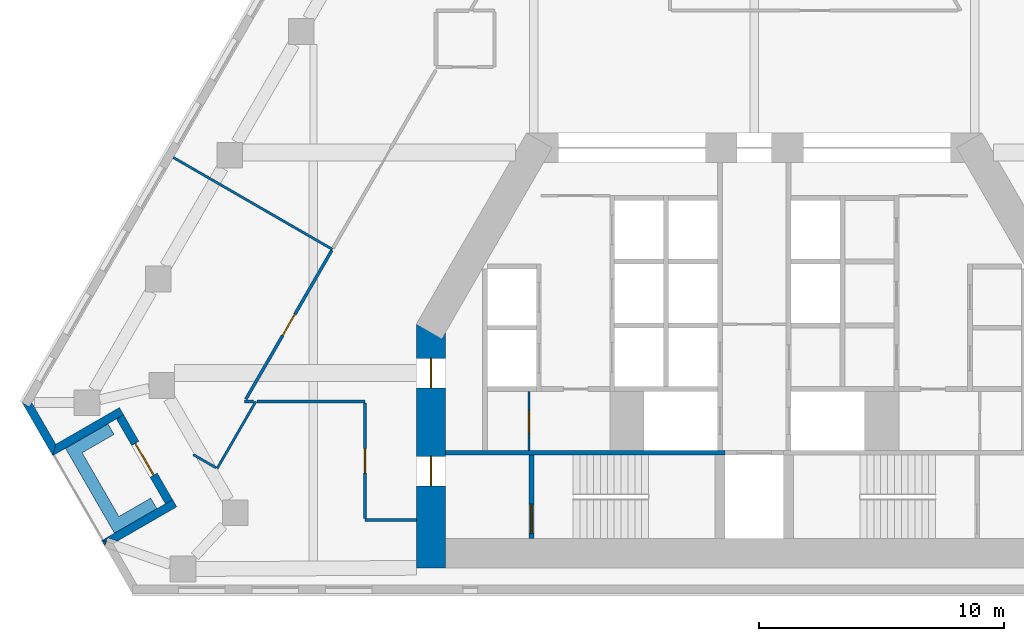
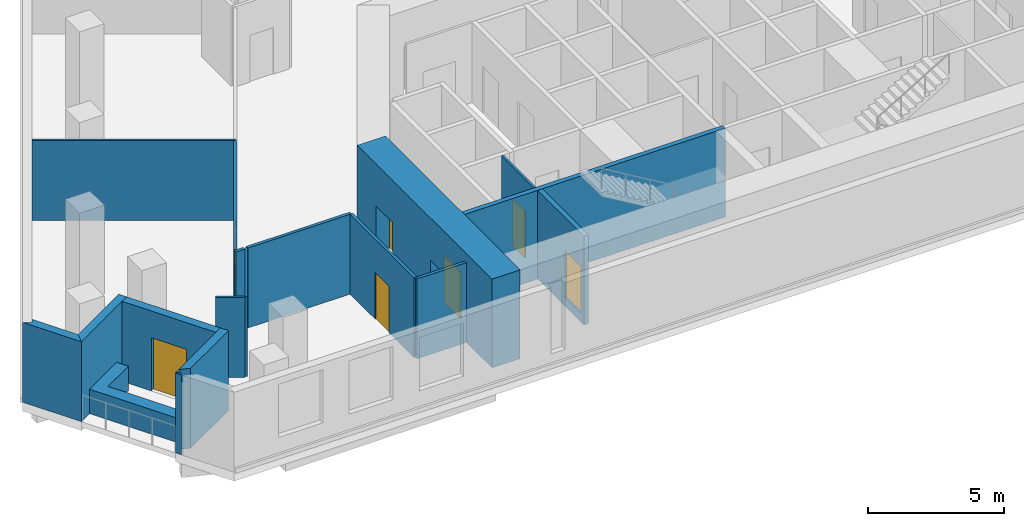
# One storey, part 3 of 10: 18 walls, 7 doors, 7 openings.
"""IFC4 building model written with IfcOpenShell, lengths in metres."""

from ifc_helpers import new_model, si_unit, direction, frame, frame_2d, origin, place, context, subcontext, project, spatial, polyline, rectangle, outline, extrude, material, layer, layer_set, type_object, element, fill, save


model = new_model("IFC4")

# Units and contexts
model_context = context("Model", 3, precision=1e-05, world=origin(), true_north=direction((0.0, 1.0)))
body_context = subcontext(model_context, "Body", "Model", "MODEL_VIEW")
ifc_project = project(units=[si_unit("LENGTHUNIT", "METRE"), si_unit("AREAUNIT", "SQUARE_METRE"), si_unit("VOLUMEUNIT", "CUBIC_METRE"), si_unit("PLANEANGLEUNIT", "RADIAN"), si_unit("MASSUNIT", "GRAM", prefix="KILO")], contexts=[model_context])

# Site, building, storey
site_placement = place(None, origin())
site = spatial("IfcSite", under=ifc_project, at=site_placement, CompositionType="ELEMENT")
building_placement = place(site_placement, origin())
building = spatial("IfcBuilding", under=site, at=building_placement, Name="Fogline Exchange Tower", CompositionType="ELEMENT")
storey_placement = place(building_placement, frame((0.0, 0.0, 128.10009765625)))
storey = spatial("IfcBuildingStorey", under=building, at=storey_placement, Name="L28", CompositionType="ELEMENT", Elevation=128.10009765625)

# Wall, opening, door
ifc_material_1 = material(Name="Blockwork partition", Category="masonry")
ifc_layer_1 = layer(ifc_material_1, 0.10009765625)
ifc_layer_set_1 = layer_set([ifc_layer_1], Name="CW10")
wall_type_1 = type_object("IfcWallType", Name="CW10", PredefinedType="PARTITIONING", material=ifc_layer_set_1)
wall_1_placement = place(storey_placement, frame((-9.199951171875, 5.85009765625, 0.0), z_axis=(0.0, 0.0, 1.0), x_axis=(0.0, 1.0, 0.0)))
wall_1 = element("IfcWall", 1, at=wall_1_placement, inside=storey, type_object=wall_type_1, Name="WC partition", PredefinedType="PARTITIONING", context=body_context, shape_type="SweptSolid", body=[
    extrude(rectangle(XDim=2.39990234375, YDim=0.10009765625, at=frame_2d((1.199951171875, 0.0))), origin(), (0.0, 0.0, 1.0), 3.599853515625),
])
opening_1_placement = place(wall_1_placement, frame((0.699951171875, 0.0, 0.0)))
opening_1 = element("IfcOpeningElement", 2, at=opening_1_placement, cuts=wall_1, Name="Opening T08-C009", PredefinedType="OPENING", context=body_context, shape_type="SweptSolid", body=[
    extrude(rectangle(XDim=0.89990234375, YDim=2.10009765625, at=frame_2d((0.449951171875, 1.050048828125))), frame((0.0, 0.06005859375, 0.0), z_axis=(0.0, -1.0, 0.0), x_axis=(1.0, 0.0, 0.0)), (0.0, 0.0, 1.0), 0.1201171875),
])
ifc_material_2 = material(Name="Steel and timber fire door", Category="steel")
door_type_1 = type_object("IfcDoorType", Name="D-CS1", OperationType="SINGLE_SWING_RIGHT", PredefinedType="DOOR", material=ifc_material_2)
door_1_placement = place(opening_1_placement, origin())
door_1 = element("IfcDoor", 3, at=door_1_placement, inside=storey, type_object=door_type_1, Name="Door to Cleaner's Store", OperationType="SINGLE_SWING_LEFT", OverallHeight=2.10009765625, OverallWidth=0.89990234375, PredefinedType="DOOR", context=body_context, shape_type="SweptSolid", body=[
    extrude(rectangle(XDim=0.89990234375, YDim=2.10009765625, at=frame_2d((0.449951171875, 1.050048828125))), frame((0.0, 0.02490234375, 0.0), z_axis=(0.0, -1.0, 0.0), x_axis=(1.0, 0.0, 0.0)), (0.0, 0.0, 1.0), 0.050048828125),
])
fill(opening_1, door_1)

# Wall
ifc_material_3 = material(Name="Concrete C40", Category="concrete")
ifc_layer_2 = layer(ifc_material_3, 0.199951171875)
ifc_layer_set_2 = layer_set([ifc_layer_2], Name="CW20R")
wall_type_2 = type_object("IfcWallType", Name="CW20R", PredefinedType="SOLIDWALL", material=ifc_layer_set_2)
wall_2_placement = place(storey_placement, frame((-12.60009765625, 5.75, -0.400146484375), z_axis=(0.0, 0.0, 1.0), x_axis=(1.0, 0.0, 0.0)))
element("IfcWall", 4, at=wall_2_placement, inside=storey, type_object=wall_type_2, Name="Stair enclosure wall", PredefinedType="SOLIDWALL", context=body_context, shape_type="SweptSolid", body=[
    extrude(rectangle(XDim=11.400146484375, YDim=0.199951171875, at=frame_2d((5.7001953125, 0.0))), origin(), (0.0, 0.0, 1.0), 4.0),
])

# Wall, opening, door
wall_3_placement = place(storey_placement, frame((-9.10009765625, 2.25, -0.400146484375), z_axis=(0.0, 0.0, 1.0), x_axis=(0.0, 1.0, 0.0)))
wall_3 = element("IfcWall", 5, at=wall_3_placement, inside=storey, type_object=wall_type_2, Name="Stair enclosure wall", PredefinedType="SOLIDWALL", context=body_context, shape_type="SweptSolid", body=[
    extrude(rectangle(XDim=3.39990234375, YDim=0.199951171875, at=frame_2d((1.699951171875, 0.0))), origin(), (0.0, 0.0, 1.0), 4.0),
])
opening_2_placement = place(wall_3_placement, frame((0.199951171875, 0.0, 0.39990234375)))
opening_2 = element("IfcOpeningElement", 6, at=opening_2_placement, cuts=wall_3, Name="Opening T08-C011", PredefinedType="OPENING", context=body_context, shape_type="SweptSolid", body=[
    extrude(rectangle(XDim=1.199951171875, YDim=2.10009765625, at=frame_2d((0.60009765625, 1.050048828125))), frame((0.0, 0.10986328125, 0.0), z_axis=(0.0, -1.0, 0.0), x_axis=(1.0, 0.0, 0.0)), (0.0, 0.0, 1.0), 0.219970703125),
])
door_type_2 = type_object("IfcDoorType", Name="D-ST1", OperationType="SINGLE_SWING_LEFT", PredefinedType="DOOR", material=ifc_material_2)
door_2_placement = place(opening_2_placement, frame((1.199951171875, 0.0, 0.0), z_axis=(0.0, 0.0, 1.0), x_axis=(-1.0, 0.0, 0.0)))
door_2 = element("IfcDoor", 7, at=door_2_placement, inside=storey, type_object=door_type_2, Name="Stair door ST1", OperationType="SINGLE_SWING_RIGHT", OverallHeight=2.10009765625, OverallWidth=1.199951171875, PredefinedType="DOOR", context=body_context, shape_type="SweptSolid", body=[
    extrude(rectangle(XDim=1.199951171875, YDim=2.10009765625, at=frame_2d((0.60009765625, 1.050048828125))), frame((0.0, 0.02490234375, 0.0), z_axis=(0.0, -1.0, 0.0), x_axis=(1.0, 0.0, 0.0)), (0.0, 0.0, 1.0), 0.050048828125),
])
fill(opening_2, door_2)

# Walls
ifc_material_4 = material(Name="Brick masonry", Category="masonry")
ifc_layer_3 = layer(ifc_material_4, 0.340087890625)
ifc_layer_set_3 = layer_set([ifc_layer_3], Name="FW1")
wall_type_3 = type_object("IfcWallType", Name="FW1", PredefinedType="SOLIDWALL", material=ifc_layer_set_3)
wall_4_placement = place(storey_placement, origin())
element("IfcWall", 8, at=wall_4_placement, inside=storey, type_object=wall_type_3, Name="Brick wall L28 SW-c1", PredefinedType="SOLIDWALL", context=body_context, shape_type="SweptSolid", body=[
    extrude(outline(polyline([(-28.643310546875, 5.6279296875), (-29.894287109375, 7.794921875), (-29.893798828125, 7.79541015625), (-29.59912109375, 7.625), (-29.500732421875, 7.79541015625), (-28.51806640625, 6.09375), (-28.64306640625, 5.6279296875), (-28.643310546875, 5.6279296875)])), origin(), (0.0, 0.0, 1.0), 3.599853515625),
])
wall_5_placement = place(storey_placement, origin())
element("IfcWall", 9, at=wall_5_placement, inside=storey, type_object=wall_type_3, Name="Brick wall L28 SW-s1", PredefinedType="SOLIDWALL", context=body_context, shape_type="SweptSolid", body=[
    extrude(outline(polyline([(-25.92041015625, 7.594482421875), (-25.75, 7.298828125), (-26.044921875, 7.128662109375), (-28.643798828125, 5.628173828125), (-28.64404296875, 5.62841796875), (-28.519287109375, 6.093994140625), (-25.92041015625, 7.594482421875)])), origin(), (0.0, 0.0, 1.0), 3.599853515625),
])

# Wall, opening, door
wall_6_placement = place(storey_placement, frame((-25.89794921875, 7.214111328125, 0.0), z_axis=(0.0, 0.0, 1.0), x_axis=(0.49999894854, -0.866026010844, 0.0)))
wall_6 = element("IfcWall", 10, at=wall_6_placement, inside=storey, type_object=wall_type_3, Name="Brick wall L28 SW-bk", PredefinedType="SOLIDWALL", context=body_context, shape_type="SweptSolid", body=[
    extrude(rectangle(XDim=4.0, YDim=0.340087890625, at=frame_2d((2.0, 0.0))), origin(), (0.0, 0.0, 1.0), 3.599853515625),
])
opening_3_placement = place(wall_6_placement, frame((1.25, 0.0, 0.0)))
opening_3 = element("IfcOpeningElement", 11, at=opening_3_placement, cuts=wall_6, Name="Opening T08-E021", PredefinedType="OPENING", context=body_context, shape_type="SweptSolid", body=[
    extrude(rectangle(XDim=1.5, YDim=2.39990234375, at=frame_2d((0.75, 1.199951171875))), frame((0.0, 0.18017578125, 0.0), z_axis=(0.0, -1.0, 0.0), x_axis=(1.0, 0.0, 0.0)), (0.0, 0.0, 1.0), 0.360107421875),
])
ifc_material_5 = material(Name="Aluminium and glass", Category="aluminium")
door_type_3 = type_object("IfcDoorType", Name="ED4", OperationType="SINGLE_SWING_LEFT", PredefinedType="DOOR", material=ifc_material_5)
door_3_placement = place(opening_3_placement, frame((1.5, 0.0, 0.0), z_axis=(0.0, 0.0, 1.0), x_axis=(-1.0, 0.0, 0.0)))
door_3 = element("IfcDoor", 12, at=door_3_placement, inside=storey, type_object=door_type_3, Name="Balcony door L28 SW", OperationType="DOUBLE_DOOR_SINGLE_SWING", OverallHeight=2.39990234375, OverallWidth=1.5, PredefinedType="DOOR", context=body_context, shape_type="SweptSolid", body=[
    extrude(rectangle(XDim=1.5, YDim=2.39990234375, at=frame_2d((0.75, 1.199951171875))), frame((0.0, 0.02490234375, 0.0), z_axis=(0.0, -1.0, 0.0), x_axis=(1.0, 0.0, 0.0)), (0.0, 0.0, 1.0), 0.050048828125),
])
fill(opening_3, door_3)

# Walls
wall_7_placement = place(storey_placement, origin())
element("IfcWall", 13, at=wall_7_placement, inside=storey, type_object=wall_type_3, Name="Brick wall L28 SW-s2", PredefinedType="SOLIDWALL", context=body_context, shape_type="SweptSolid", body=[
    extrude(outline(polyline([(-24.04541015625, 3.66552734375), (-23.75048828125, 3.8359375), (-23.579833984375, 3.540283203125), (-26.005615234375, 2.139892578125), (-26.402587890625, 2.277587890625), (-26.458984375, 2.114990234375), (-26.64453125, 2.164794921875), (-26.64453125, 2.1650390625), (-24.04541015625, 3.66552734375)])), origin(), (0.0, 0.0, 1.0), 3.599853515625),
])
wall_8_placement = place(storey_placement, origin())
element("IfcWall", 14, at=wall_8_placement, inside=storey, type_object=wall_type_3, Name="Brick wall L28 SW-c2", PredefinedType="SOLIDWALL", context=body_context, shape_type="SweptSolid", body=[
    extrude(outline(polyline([(-26.644287109375, 2.165771484375), (-26.64404296875, 2.166015625), (-26.45849609375, 2.1162109375), (-26.517578125, 1.946044921875), (-26.644287109375, 2.165771484375)])), origin(), (0.0, 0.0, 1.0), 3.599853515625),
])
ifc_material_6 = material(Name="Concrete C30", Category="concrete")
ifc_layer_4 = layer(ifc_material_6, 0.199951171875)
ifc_layer_set_4 = layer_set([ifc_layer_4], Name="PL1")
wall_type_4 = type_object("IfcWallType", Name="PL1", PredefinedType="USERDEFINED", material=ifc_layer_set_4)
wall_9_placement = place(storey_placement, origin())
element("IfcWall", 15, at=wall_9_placement, inside=storey, type_object=wall_type_4, Name="PLANTER balcony L28 SW", ObjectType="PLANTER", PredefinedType="USERDEFINED", context=body_context, shape_type="SweptSolid", body=[
    extrude(outline(polyline([(-24.6416015625, 3.898193359375), (-25.940673828125, 3.148193359375), (-27.440673828125, 5.74609375), (-26.1416015625, 6.49609375), (-26.3916015625, 6.92919921875), (-28.12353515625, 5.92919921875), (-27.87353515625, 5.49609375), (-26.12353515625, 2.465087890625), (-25.690673828125, 2.715087890625), (-25.690673828125, 2.715087890625), (-24.3916015625, 3.465087890625), (-24.6416015625, 3.898193359375)])), origin(), (0.0, 0.0, 1.0), 1.099853515625),
])
ifc_material_7 = material(Name="Plasterboard partition, 2 layers each side on steel studs", Category="steel")
ifc_layer_5 = layer(ifc_material_7, 0.10009765625)
ifc_layer_set_5 = layer_set([ifc_layer_5], Name="PW1")
wall_type_5 = type_object("IfcWallType", Name="PW1", PredefinedType="PARTITIONING", material=ifc_layer_set_5)
wall_10_placement = place(storey_placement, frame((-17.2265625, 14.0537109375, 0.0), z_axis=(0.0, 0.0, 1.0), x_axis=(-0.866022959057, 0.500004234368, 0.0)))
element("IfcWall", 16, at=wall_10_placement, inside=storey, type_object=wall_type_5, Name="wall-L28-W044", PredefinedType="PARTITIONING", context=body_context, shape_type="SweptSolid", body=[
    extrude(rectangle(XDim=7.5, YDim=0.10009765625, at=frame_2d((3.75, 0.0))), origin(), (0.0, 0.0, 1.0), 3.599853515625),
])
wall_11_placement = place(storey_placement, frame((-20.35205078125, 7.840087890625, 0.0), z_axis=(0.0, 0.0, 1.0), x_axis=(-0.499968102766, -0.866043818878, 0.0)))
element("IfcWall", 17, at=wall_11_placement, inside=storey, type_object=wall_type_5, Name="wall-L28-W045", PredefinedType="PARTITIONING", context=body_context, shape_type="SweptSolid", body=[
    extrude(rectangle(XDim=3.154541015625, YDim=0.10009765625, at=frame_2d((1.5771484375, 0.0))), origin(), (0.0, 0.0, 1.0), 3.599853515625),
])
wall_12_placement = place(storey_placement, frame((-21.97265625, 5.13330078125, 0.0), z_axis=(0.0, 0.0, 1.0), x_axis=(-0.866046010305, 0.49996430676, 0.0)))
element("IfcWall", 18, at=wall_12_placement, inside=storey, type_object=wall_type_5, Name="wall-L28-W046", PredefinedType="PARTITIONING", context=body_context, shape_type="SweptSolid", body=[
    extrude(rectangle(XDim=1.07763671875, YDim=0.10009765625, at=frame_2d((0.538818359375, 0.0))), origin(), (0.0, 0.0, 1.0), 3.599853515625),
])
ifc_material_8 = material(Name="Plasterboard corridor partition with mineral wool, 2 layers each side")
ifc_layer_6 = layer(ifc_material_8, 0.125)
ifc_layer_set_6 = layer_set([ifc_layer_6], Name="PW2")
wall_type_6 = type_object("IfcWallType", Name="PW2", PredefinedType="PARTITIONING", material=ifc_layer_set_6)
wall_13_placement = place(storey_placement, frame((-13.800048828125, 3.0, 0.0), z_axis=(0.0, 0.0, 1.0), x_axis=(-1.0, 0.0, 0.0)))
element("IfcWall", 19, at=wall_13_placement, inside=storey, type_object=wall_type_6, Name="wall-L28-W009", PredefinedType="PARTITIONING", context=body_context, shape_type="SweptSolid", body=[
    extrude(rectangle(XDim=2.099853515625, YDim=0.125, at=frame_2d((1.0498046875, 0.0))), origin(), (0.0, 0.0, 1.0), 3.599853515625),
])

# Wall, opening, door
wall_14_placement = place(storey_placement, frame((-15.89990234375, 3.0625, 0.0), z_axis=(0.0, 0.0, 1.0), x_axis=(0.0, 1.0, 0.0)))
wall_14 = element("IfcWall", 20, at=wall_14_placement, inside=storey, type_object=wall_type_6, Name="wall-L28-W010", PredefinedType="PARTITIONING", context=body_context, shape_type="SweptSolid", body=[
    extrude(rectangle(XDim=4.715087890625, YDim=0.125, at=frame_2d((2.357421875, 0.0))), origin(), (0.0, 0.0, 1.0), 3.599853515625),
])
opening_4_placement = place(wall_14_placement, frame((1.857421875, 0.0, 0.0)))
opening_4 = element("IfcOpeningElement", 21, at=opening_4_placement, cuts=wall_14, Name="Opening T08-D004", PredefinedType="OPENING", context=body_context, shape_type="SweptSolid", body=[
    extrude(rectangle(XDim=1.0, YDim=2.10009765625, at=frame_2d((0.5, 1.050048828125))), frame((0.0, 0.072509765625, 0.0), z_axis=(0.0, -1.0, 0.0), x_axis=(1.0, 0.0, 0.0)), (0.0, 0.0, 1.0), 0.14501953125),
])
ifc_material_9 = material(Name="Fire-rated timber door leaf with steel frame", Category="steel")
door_type_4 = type_object("IfcDoorType", Name="D3", OperationType="SINGLE_SWING_LEFT", PredefinedType="DOOR", material=ifc_material_9)
door_4_placement = place(opening_4_placement, origin())
door_4 = element("IfcDoor", 22, at=door_4_placement, inside=storey, type_object=door_type_4, Name="door-L28-D004", OperationType="SINGLE_SWING_LEFT", OverallHeight=2.10009765625, OverallWidth=1.0, PredefinedType="DOOR", context=body_context, shape_type="SweptSolid", body=[
    extrude(rectangle(XDim=1.0, YDim=2.10009765625, at=frame_2d((0.5, 1.050048828125))), frame((0.0, 0.02490234375, 0.0), z_axis=(0.0, -1.0, 0.0), x_axis=(1.0, 0.0, 0.0)), (0.0, 0.0, 1.0), 0.050048828125),
])
fill(opening_4, door_4)

# Wall
wall_15_placement = place(storey_placement, frame((-20.4462890625, 7.840087890625, 0.0), z_axis=(0.0, 0.0, 1.0), x_axis=(-1.0, 0.0, 0.0)))
element("IfcWall", 23, at=wall_15_placement, inside=storey, type_object=wall_type_6, Name="wall-L28-W026", PredefinedType="PARTITIONING", context=body_context, shape_type="SweptSolid", body=[
    extrude(rectangle(XDim=0.36767578125, YDim=0.125, at=frame_2d((0.183837890625, 0.0))), origin(), (0.0, 0.0, 1.0), 3.599853515625),
])

# Wall, opening, door
wall_16_placement = place(storey_placement, frame((-20.759521484375, 7.93408203125, 0.0), z_axis=(0.0, 0.0, 1.0), x_axis=(0.499986528978, 0.866033181143, 0.0)))
wall_16 = element("IfcWall", 24, at=wall_16_placement, inside=storey, type_object=wall_type_6, Name="wall-L28-W027", PredefinedType="PARTITIONING", context=body_context, shape_type="SweptSolid", body=[
    extrude(rectangle(XDim=7.015869140625, YDim=0.125, at=frame_2d((3.5078125, 0.0))), origin(), (0.0, 0.0, 1.0), 3.599853515625),
])
opening_5_placement = place(wall_16_placement, frame((3.0078125, 0.0, 0.0)))
opening_5 = element("IfcOpeningElement", 25, at=opening_5_placement, cuts=wall_16, Name="Opening T08-D012", PredefinedType="OPENING", context=body_context, shape_type="SweptSolid", body=[
    extrude(rectangle(XDim=1.0, YDim=2.10009765625, at=frame_2d((0.5, 1.050048828125))), frame((0.0, 0.072509765625, 0.0), z_axis=(0.0, -1.0, 0.0), x_axis=(1.0, 0.0, 0.0)), (0.0, 0.0, 1.0), 0.14501953125),
])
door_5_placement = place(opening_5_placement, origin())
door_5 = element("IfcDoor", 26, at=door_5_placement, inside=storey, type_object=door_type_4, Name="door-L28-D012", OperationType="SINGLE_SWING_LEFT", OverallHeight=2.10009765625, OverallWidth=1.0, PredefinedType="DOOR", context=body_context, shape_type="SweptSolid", body=[
    extrude(rectangle(XDim=1.0, YDim=2.10009765625, at=frame_2d((0.5, 1.050048828125))), frame((0.0, 0.02490234375, 0.0), z_axis=(0.0, -1.0, 0.0), x_axis=(1.0, 0.0, 0.0)), (0.0, 0.0, 1.0), 0.050048828125),
])
fill(opening_5, door_5)

# Wall
wall_17_placement = place(storey_placement, frame((-15.89990234375, 7.840087890625, 0.0), z_axis=(0.0, 0.0, 1.0), x_axis=(-1.0, 0.0, 0.0)))
element("IfcWall", 27, at=wall_17_placement, inside=storey, type_object=wall_type_6, Name="wall-L28-W028", PredefinedType="PARTITIONING", context=body_context, shape_type="SweptSolid", body=[
    extrude(rectangle(XDim=4.408447265625, YDim=0.125, at=frame_2d((2.2041015625, 0.0))), origin(), (0.0, 0.0, 1.0), 3.599853515625),
])

# Wall, openings, doors
ifc_material_10 = material(Name="Concrete C60", Category="concrete")
ifc_layer_7 = layer(ifc_material_10, 1.199951171875)
ifc_layer_set_7 = layer_set([ifc_layer_7], Name="SW02")
wall_type_7 = type_object("IfcWallType", Name="SW02", PredefinedType="SHEAR", material=ifc_layer_set_7)
wall_18_placement = place(storey_placement, frame((-13.199951171875, 10.9990234375, 0.0), z_axis=(0.0, 0.0, 1.0), x_axis=(0.0, -1.0, 0.0)))
wall_18 = element("IfcWall", 28, at=wall_18_placement, inside=storey, type_object=wall_type_7, Name="L28-W906", PredefinedType="SHEAR", context=body_context, shape_type="SweptSolid", body=[
    extrude(rectangle(XDim=9.948974609375, YDim=1.199951171875, at=frame_2d((4.974609375, 0.0))), origin(), (0.0, 0.0, 1.0), 4.0),
])
opening_6_placement = place(wall_18_placement, frame((5.39892578125, 0.0, 0.0)))
opening_6 = element("IfcOpeningElement", 29, at=opening_6_placement, cuts=wall_18, Name="Opening T08-C010", PredefinedType="OPENING", context=body_context, shape_type="SweptSolid", body=[
    extrude(rectangle(XDim=1.199951171875, YDim=2.10009765625, at=frame_2d((0.60009765625, 1.050048828125))), frame((0.0, 0.60986328125, 0.0), z_axis=(0.0, -1.0, 0.0), x_axis=(1.0, 0.0, 0.0)), (0.0, 0.0, 1.0), 1.219970703125),
])
opening_7_placement = place(wall_18_placement, frame((1.39892578125, 0.0, 0.0)))
opening_7 = element("IfcOpeningElement", 30, at=opening_7_placement, cuts=wall_18, Name="Opening T08-C012", PredefinedType="OPENING", context=body_context, shape_type="SweptSolid", body=[
    extrude(rectangle(XDim=1.199951171875, YDim=2.10009765625, at=frame_2d((0.60009765625, 1.050048828125))), frame((0.0, 0.60986328125, 0.0), z_axis=(0.0, -1.0, 0.0), x_axis=(1.0, 0.0, 0.0)), (0.0, 0.0, 1.0), 1.219970703125),
])
door_type_5 = type_object("IfcDoorType", Name="D-FR1", OperationType="SINGLE_SWING_RIGHT", PredefinedType="DOOR", material=ifc_material_2)
door_6_placement = place(opening_6_placement, origin())
door_6 = element("IfcDoor", 31, at=door_6_placement, inside=storey, type_object=door_type_5, Name="Front room door ST1", OperationType="SINGLE_SWING_LEFT", OverallHeight=2.10009765625, OverallWidth=1.199951171875, PredefinedType="DOOR", context=body_context, shape_type="SweptSolid", body=[
    extrude(rectangle(XDim=1.199951171875, YDim=2.10009765625, at=frame_2d((0.60009765625, 1.050048828125))), frame((0.0, 0.02490234375, 0.0), z_axis=(0.0, -1.0, 0.0), x_axis=(1.0, 0.0, 0.0)), (0.0, 0.0, 1.0), 0.050048828125),
])
fill(opening_6, door_6)
door_type_6 = type_object("IfcDoorType", Name="D-SV1", OperationType="SINGLE_SWING_LEFT", PredefinedType="DOOR", material=ifc_material_2)
door_7_placement = place(opening_7_placement, origin())
door_7 = element("IfcDoor", 32, at=door_7_placement, inside=storey, type_object=door_type_6, Name="Service door W", OperationType="SINGLE_SWING_LEFT", OverallHeight=2.10009765625, OverallWidth=1.199951171875, PredefinedType="DOOR", context=body_context, shape_type="SweptSolid", body=[
    extrude(rectangle(XDim=1.199951171875, YDim=2.10009765625, at=frame_2d((0.60009765625, 1.050048828125))), frame((0.0, 0.02490234375, 0.0), z_axis=(0.0, -1.0, 0.0), x_axis=(1.0, 0.0, 0.0)), (0.0, 0.0, 1.0), 0.050048828125),
])
fill(opening_7, door_7)

save(model, "model.ifc")
